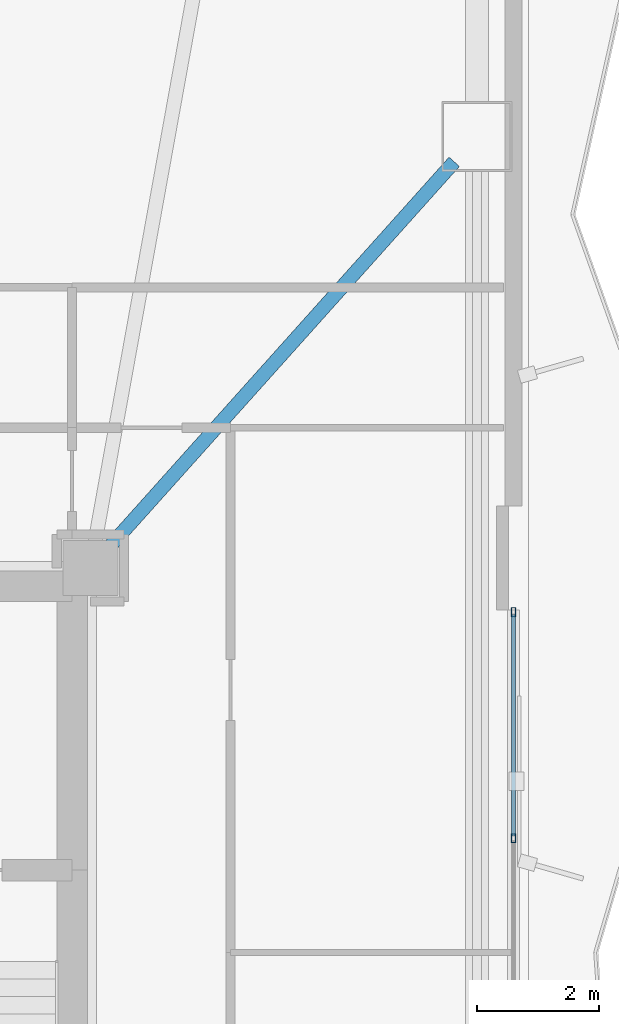
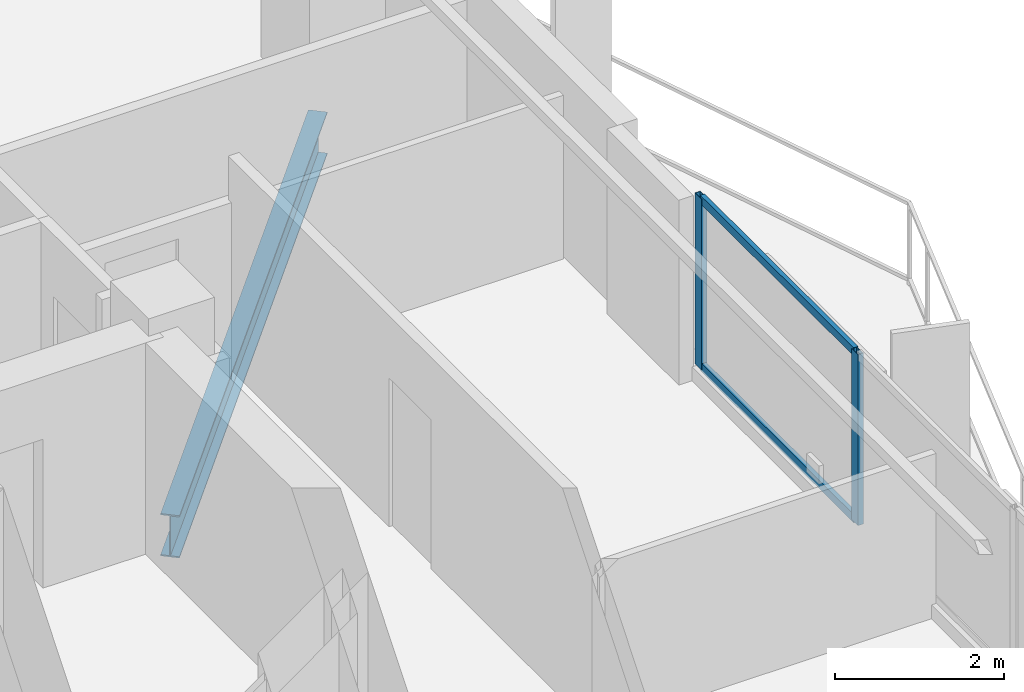
# One storey, part 10 of 23: 4 members, 1 beam, 1 element without a shape of its own.
"""IFC4 building model written with IfcOpenShell, lengths in metres."""

from ifc_helpers import new_model, si_unit, direction, frame, origin, origin_2d, place, context, subcontext, project, spatial, hollow_rectangle, i_section, extrude, material, layer, layer_set, material_profile, profile_set, type_object, element, aggregate, save


model = new_model("IFC4")

# Units and contexts
model_context = context("Model", 3, precision=1e-05, world=origin(), true_north=direction((0.0, 1.0)))
body_context = subcontext(model_context, "Body", "Model", "MODEL_VIEW")
ifc_project = project(units=[si_unit("LENGTHUNIT", "METRE"), si_unit("AREAUNIT", "SQUARE_METRE"), si_unit("VOLUMEUNIT", "CUBIC_METRE"), si_unit("PLANEANGLEUNIT", "RADIAN"), si_unit("MASSUNIT", "GRAM", prefix="KILO")], contexts=[model_context])

# Site, building, storey
site_placement = place(None, origin())
site = spatial("IfcSite", under=ifc_project, at=site_placement, CompositionType="ELEMENT")
building_placement = place(site_placement, origin())
building = spatial("IfcBuilding", under=site, at=building_placement, Name="Mersakhor Tower and Convention Hall", CompositionType="ELEMENT")
storey_placement = place(building_placement, frame((0.0, 0.0, 93.300048828125)))
storey = spatial("IfcBuildingStorey", under=building, at=storey_placement, Name="L25", CompositionType="ELEMENT", Elevation=93.300048828125)

# Beam
ifc_material_1 = material(Name="Steel S355", Category="steel")
ifc_material_profile_1 = material_profile(ifc_material_1, i_section(OverallWidth=0.22900390625, OverallDepth=0.6123046875, WebThickness=0.011962890625, FlangeThickness=0.01953125, at=origin_2d()), Name="UB 610x229x125")
ifc_profile_set_1 = profile_set([ifc_material_profile_1], Name="Steel S355")
beam_type = type_object("IfcBeamType", Name="BM-PR-610", PredefinedType="BEAM", material=ifc_profile_set_1)
beam_placement = place(storey_placement, frame((36.386962890625, 33.370361328125, -0.55615234375), z_axis=(0.66721913788, 0.744861478428, 0.0), x_axis=(-0.744861478428, 0.66721913788, 0.0)))
element("IfcBeam", 1, at=beam_placement, inside=storey, type_object=beam_type, Name="L25 Primary Floor Girder FG-3", PredefinedType="BEAM", context=body_context, shape_type="SweptSolid", body=[
    extrude(i_section(OverallWidth=0.22900390625, OverallDepth=0.6123046875, WebThickness=0.011962890625, FlangeThickness=0.01953125, at=origin_2d()), origin(), (0.0, 0.0, 1.0), 8.5087890625),
])

# Curtain wall, members
ifc_material_2 = material(Name="Dark solar low-E aluminium curtain wall", Category="aluminium")
ifc_layer = layer(ifc_material_2, 0.159912109375)
ifc_layer_set = layer_set([ifc_layer], Name="Dark solar low-E aluminium curtain wall")
curtain_wall_type = type_object("IfcCurtainWallType", Name="CW-SYS-01", PredefinedType="USERDEFINED", material=ifc_layer_set)
curtain_wall_placement = place(storey_placement, origin())
curtain_wall = element("IfcCurtainWall", 2, at=curtain_wall_placement, inside=storey, type_object=curtain_wall_type, Name="L25 Dark-Glass Curtain Wall F2-B2", ObjectType="CURTAIN WALL", PredefinedType="USERDEFINED")
ifc_material_3 = material(Name="Anodised aluminium EN AW-6063 T6", Category="aluminium")
ifc_material_profile_2 = material_profile(ifc_material_3, hollow_rectangle(XDim=0.074951171875, YDim=0.14990234375, WallThickness=0.00634765625, at=origin_2d()), Name="RHS 150x75x6.3")
ifc_profile_set_2 = profile_set([ifc_material_profile_2], Name="Anodised aluminium EN AW-6063 T6")
member_type_1 = type_object("IfcMemberType", Name="CWM-150x75", PredefinedType="MULLION", material=ifc_profile_set_2)
member_1_placement = place(storey_placement, frame((43.03466796875, 32.327392578125, 0.199951171875), z_axis=(0.0, 0.0, 1.0), x_axis=(1.0, 0.0, 0.0)))
member_1 = element("IfcMember", 3, at=member_1_placement, type_object=member_type_1, Name="CW-01 mullion 1", PredefinedType="MULLION", context=body_context, shape_type="SweptSolid", body=[
    extrude(hollow_rectangle(XDim=0.074951171875, YDim=0.14990234375, WallThickness=0.00634765625, at=origin_2d()), origin(), (0.0, 0.0, 1.0), 2.469970703125),
])
member_2_placement = place(storey_placement, frame((43.03466796875, 28.62158203125, 0.199951171875), z_axis=(0.0, 0.0, 1.0), x_axis=(1.0, 0.0, 0.0)))
member_2 = element("IfcMember", 4, at=member_2_placement, type_object=member_type_1, Name="CW-01 mullion 2", PredefinedType="MULLION", context=body_context, shape_type="SweptSolid", body=[
    extrude(hollow_rectangle(XDim=0.074951171875, YDim=0.14990234375, WallThickness=0.00634765625, at=origin_2d()), origin(), (0.0, 0.0, 1.0), 2.469970703125),
])
ifc_material_4 = material(Name="Anodised aluminium EN AW-6063 T6", Category="aluminium")
ifc_material_profile_3 = material_profile(ifc_material_4, hollow_rectangle(XDim=0.06005859375, YDim=0.1201171875, WallThickness=0.0048828125, at=origin_2d()), Name="RHS 120x60x5")
ifc_profile_set_3 = profile_set([ifc_material_profile_3], Name="Anodised aluminium EN AW-6063 T6")
member_type_2 = type_object("IfcMemberType", Name="CWT-120x60", PredefinedType="USERDEFINED", material=ifc_profile_set_3)
member_3_placement = place(storey_placement, frame((43.03466796875, 32.289794921875, 0.22998046875), z_axis=(0.0, -1.0, 0.0), x_axis=(1.0, 0.0, 0.0)))
member_3 = element("IfcMember", 5, at=member_3_placement, type_object=member_type_2, Name="CW-01 transom 1.1", ObjectType="TRANSOM", PredefinedType="USERDEFINED", context=body_context, shape_type="SweptSolid", body=[
    extrude(hollow_rectangle(XDim=0.06005859375, YDim=0.1201171875, WallThickness=0.0048828125, at=origin_2d()), origin(), (0.0, 0.0, 1.0), 3.630615234375),
])
member_4_placement = place(storey_placement, frame((43.03466796875, 32.289794921875, 2.639892578125), z_axis=(0.0, -1.0, 0.0), x_axis=(1.0, 0.0, 0.0)))
member_4 = element("IfcMember", 6, at=member_4_placement, type_object=member_type_2, Name="CW-01 transom 1.2", ObjectType="TRANSOM", PredefinedType="USERDEFINED", context=body_context, shape_type="SweptSolid", body=[
    extrude(hollow_rectangle(XDim=0.06005859375, YDim=0.1201171875, WallThickness=0.0048828125, at=origin_2d()), origin(), (0.0, 0.0, 1.0), 3.630615234375),
])
aggregate(curtain_wall, [member_1, member_2, member_3, member_4])

save(model, "model.ifc")
